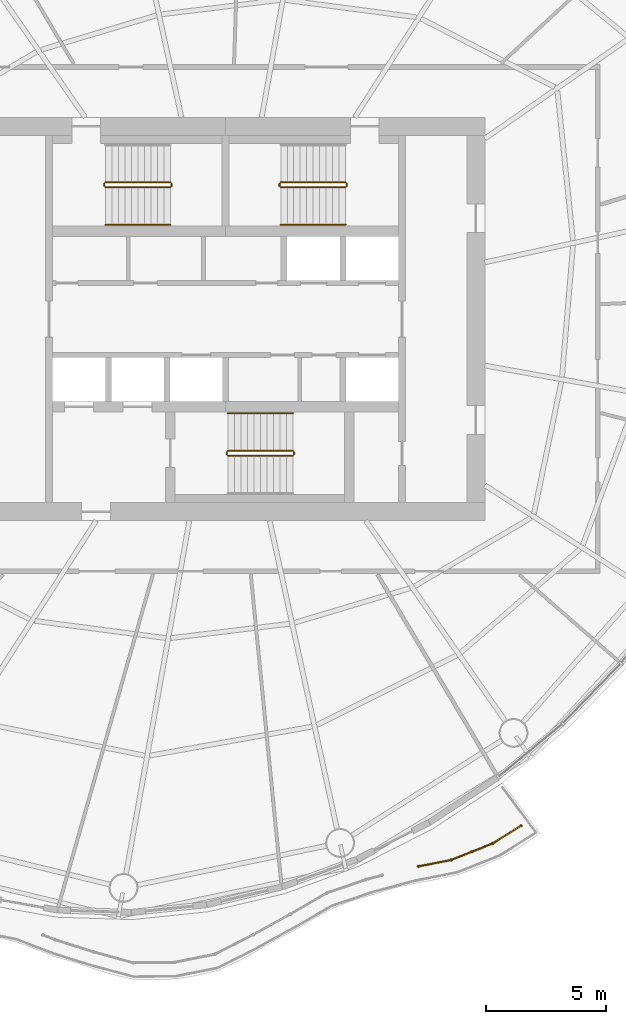
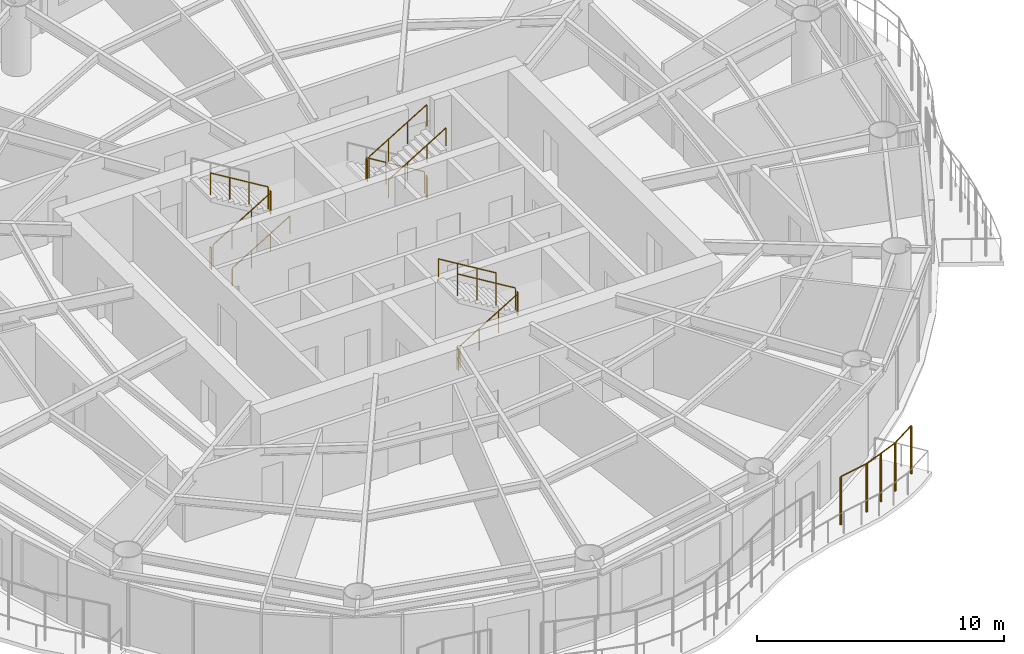
# One storey, part 13 of 14: 16 railings.
"""IFC4 building model written with IfcOpenShell, lengths in metres."""

from ifc_helpers import new_model, si_unit, direction, frame, origin, origin_2d, place, context, subcontext, project, spatial, circle, extrude, material, type_object, element, save


model = new_model("IFC4")

# Units and contexts
model_context = context("Model", 3, precision=1e-05, world=origin(), true_north=direction((0.0, 1.0)))
body_context = subcontext(model_context, "Body", "Model", "MODEL_VIEW")
ifc_project = project(units=[si_unit("LENGTHUNIT", "METRE"), si_unit("AREAUNIT", "SQUARE_METRE"), si_unit("VOLUMEUNIT", "CUBIC_METRE"), si_unit("PLANEANGLEUNIT", "RADIAN"), si_unit("MASSUNIT", "GRAM", prefix="KILO")], contexts=[model_context])

# Site, building, storey
site_placement = place(None, origin())
site = spatial("IfcSite", under=ifc_project, at=site_placement, CompositionType="ELEMENT")
building_placement = place(site_placement, origin())
building = spatial("IfcBuilding", under=site, at=building_placement, Name="Vermilion Reach Broadcast Tower", CompositionType="ELEMENT")
storey_placement = place(building_placement, frame((0.0, 0.0, 228.10009765625)))
storey = spatial("IfcBuildingStorey", under=building, at=storey_placement, Name="L56", CompositionType="ELEMENT", Elevation=228.10009765625)

# Railings
ifc_material_1 = material(Name="Terracotta baguette", Category="masonry")
railing_type_1 = type_object("IfcRailingType", Name="BAGUETTE SCREEN", PredefinedType="USERDEFINED", material=ifc_material_1)
railing_1_placement = place(storey_placement, frame((2.03662109375, -22.792724609375, 0.0)))
element("IfcRailing", 1, at=railing_1_placement, inside=storey, type_object=railing_type_1, Name="Baguette screen L56 group 3 part 3", ObjectType="BAGUETTE SCREEN", PredefinedType="USERDEFINED", context=body_context, shape_type="SweptSolid", body=[
    extrude(circle(Radius=0.030029296875, at=origin_2d()), frame((0.0, 0.0, 2.369873046875), z_axis=(0.981452571569, 0.191705111464, 0.0), x_axis=(-0.191705111464, 0.981452571569, 0.0)), (0.0, 0.0, 1.0), 1.38427734375),
    extrude(circle(Radius=0.030029296875, at=origin_2d()), frame((1.358642578125, 0.265380859375, 2.369873046875), z_axis=(0.929153949156, 0.36969303316, 0.0), x_axis=(-0.36969303316, 0.929153949156, 0.0)), (0.0, 0.0, 1.0), 1.8603515625),
    extrude(circle(Radius=0.030029296875, at=origin_2d()), frame((3.087158203125, 0.953125, 2.369873046875), z_axis=(0.847860324011, 0.53021964408, 0.0), x_axis=(-0.53021964408, 0.847860324011, 0.0)), (0.0, 0.0, 1.0), 1.391845703125),
    extrude(circle(Radius=0.050048828125, at=origin_2d()), origin(), (0.0, 0.0, 1.0), 2.33984375),
    extrude(circle(Radius=0.050048828125, at=origin_2d()), frame((1.358642578125, 0.265380859375, 0.0)), (0.0, 0.0, 1.0), 2.33984375),
    extrude(circle(Radius=0.050048828125, at=origin_2d()), frame((2.222900390625, 0.609375, 0.0)), (0.0, 0.0, 1.0), 2.33984375),
    extrude(circle(Radius=0.050048828125, at=origin_2d()), frame((3.087158203125, 0.953125, 0.0)), (0.0, 0.0, 1.0), 2.33984375),
    extrude(circle(Radius=0.050048828125, at=origin_2d()), frame((4.267333984375, 1.691162109375, 0.0)), (0.0, 0.0, 1.0), 2.33984375),
])
ifc_material_2 = material(Name="Stainless steel", Category="steel")
railing_type_2 = type_object("IfcRailingType", Name="Stair guard 1100", PredefinedType="GUARDRAIL", material=ifc_material_2)
railing_2_placement = place(storey_placement, frame((-11.0, 5.489990234375, 0.16357421875)))
element("IfcRailing", 2, at=railing_2_placement, inside=storey, type_object=railing_type_2, Name="L56 ST1 stair guard 1", PredefinedType="GUARDRAIL", context=body_context, shape_type="SweptSolid", body=[
    extrude(circle(Radius=0.02392578125, at=origin_2d()), frame((0.0, 0.0, 1.076171875), z_axis=(0.855212373127, 0.0, 0.518277721738), x_axis=(0.0, 1.0, 0.0)), (0.0, 0.0, 1.0), 3.156982421875),
    extrude(circle(Radius=0.02099609375, at=origin_2d()), origin(), (0.0, 0.0, 1.0), 1.052001953125),
    extrude(circle(Radius=0.02099609375, at=origin_2d()), frame((0.89990234375, 0.0, 0.54541015625)), (0.0, 0.0, 1.0), 1.052001953125),
    extrude(circle(Radius=0.02099609375, at=origin_2d()), frame((1.800048828125, 0.0, 1.0908203125)), (0.0, 0.0, 1.0), 1.052001953125),
    extrude(circle(Radius=0.02099609375, at=origin_2d()), frame((2.699951171875, 0.0, 1.63623046875)), (0.0, 0.0, 1.0), 1.052001953125),
])
railing_3_placement = place(storey_placement, frame((-8.25, 5.5400390625, 1.7998046875)))
element("IfcRailing", 3, at=railing_3_placement, inside=storey, type_object=railing_type_2, Name="L56 ST1 stair guard 2", PredefinedType="GUARDRAIL", context=body_context, shape_type="SweptSolid", body=[
    extrude(circle(Radius=0.02392578125, at=origin_2d()), frame((0.0, 0.0, 1.076171875), z_axis=(0.0, 1.0, 0.0), x_axis=(-1.0, 0.0, 0.0)), (0.0, 0.0, 1.0), 0.099853515625),
    extrude(circle(Radius=0.02099609375, at=origin_2d()), origin(), (0.0, 0.0, 1.0), 1.052001953125),
    extrude(circle(Radius=0.02099609375, at=origin_2d()), frame((0.0, 0.099853515625, 0.0)), (0.0, 0.0, 1.0), 1.052001953125),
])
railing_4_placement = place(storey_placement, frame((-8.300048828125, 5.68994140625, 1.963623046875)))
element("IfcRailing", 4, at=railing_4_placement, inside=storey, type_object=railing_type_2, Name="L56 ST1 stair guard 3", PredefinedType="GUARDRAIL", context=body_context, shape_type="SweptSolid", body=[
    extrude(circle(Radius=0.02392578125, at=origin_2d()), frame((0.0, 0.0, 1.076171875), z_axis=(-0.855212373127, 0.0, 0.518277721738), x_axis=(0.0, -1.0, 0.0)), (0.0, 0.0, 1.0), 3.156982421875),
    extrude(circle(Radius=0.02099609375, at=origin_2d()), origin(), (0.0, 0.0, 1.0), 1.052001953125),
    extrude(circle(Radius=0.02099609375, at=origin_2d()), frame((-0.89990234375, 0.0, 0.54541015625)), (0.0, 0.0, 1.0), 1.052001953125),
    extrude(circle(Radius=0.02099609375, at=origin_2d()), frame((-1.800048828125, 0.0, 1.0908203125)), (0.0, 0.0, 1.0), 1.052001953125),
    extrude(circle(Radius=0.02099609375, at=origin_2d()), frame((-2.699951171875, 0.0, 1.63623046875)), (0.0, 0.0, 1.0), 1.052001953125),
])
railing_5_placement = place(storey_placement, frame((-11.050048828125, 5.5400390625, 0.0)))
element("IfcRailing", 5, at=railing_5_placement, inside=storey, type_object=railing_type_2, Name="L56 ST1 stair guard 4", PredefinedType="GUARDRAIL", context=body_context, shape_type="SweptSolid", body=[
    extrude(circle(Radius=0.02392578125, at=origin_2d()), frame((0.0, 0.0, 1.076171875), z_axis=(0.0, 1.0, 0.0), x_axis=(-1.0, 0.0, 0.0)), (0.0, 0.0, 1.0), 0.099853515625),
    extrude(circle(Radius=0.02099609375, at=origin_2d()), origin(), (0.0, 0.0, 1.0), 1.052001953125),
    extrude(circle(Radius=0.02099609375, at=origin_2d()), frame((0.0, 0.099853515625, 0.0)), (0.0, 0.0, 1.0), 1.052001953125),
])
railing_6_placement = place(storey_placement, frame((-1.0, 5.68994140625, 0.16357421875)))
element("IfcRailing", 6, at=railing_6_placement, inside=storey, type_object=railing_type_2, Name="L56 ST2 stair guard 1", PredefinedType="GUARDRAIL", context=body_context, shape_type="SweptSolid", body=[
    extrude(circle(Radius=0.02392578125, at=origin_2d()), frame((0.0, 0.0, 1.076171875), z_axis=(-0.855212373127, 0.0, 0.518277721738), x_axis=(0.0, -1.0, 0.0)), (0.0, 0.0, 1.0), 3.156982421875),
    extrude(circle(Radius=0.02099609375, at=origin_2d()), origin(), (0.0, 0.0, 1.0), 1.052001953125),
    extrude(circle(Radius=0.02099609375, at=origin_2d()), frame((-0.89990234375, 0.0, 0.54541015625)), (0.0, 0.0, 1.0), 1.052001953125),
    extrude(circle(Radius=0.02099609375, at=origin_2d()), frame((-1.800048828125, 0.0, 1.0908203125)), (0.0, 0.0, 1.0), 1.052001953125),
    extrude(circle(Radius=0.02099609375, at=origin_2d()), frame((-2.699951171875, 0.0, 1.63623046875)), (0.0, 0.0, 1.0), 1.052001953125),
])
railing_7_placement = place(storey_placement, frame((-3.75, 5.639892578125, 1.7998046875)))
element("IfcRailing", 7, at=railing_7_placement, inside=storey, type_object=railing_type_2, Name="L56 ST2 stair guard 2", PredefinedType="GUARDRAIL", context=body_context, shape_type="SweptSolid", body=[
    extrude(circle(Radius=0.02392578125, at=origin_2d()), frame((0.0, 0.0, 1.076171875), z_axis=(0.0, -1.0, 0.0), x_axis=(1.0, 0.0, 0.0)), (0.0, 0.0, 1.0), 0.099853515625),
    extrude(circle(Radius=0.02099609375, at=origin_2d()), origin(), (0.0, 0.0, 1.0), 1.052001953125),
    extrude(circle(Radius=0.02099609375, at=origin_2d()), frame((0.0, -0.099853515625, 0.0)), (0.0, 0.0, 1.0), 1.052001953125),
])
railing_8_placement = place(storey_placement, frame((-3.699951171875, 5.489990234375, 1.963623046875)))
element("IfcRailing", 8, at=railing_8_placement, inside=storey, type_object=railing_type_2, Name="L56 ST2 stair guard 3", PredefinedType="GUARDRAIL", context=body_context, shape_type="SweptSolid", body=[
    extrude(circle(Radius=0.02392578125, at=origin_2d()), frame((0.0, 0.0, 1.076171875), z_axis=(0.855212373127, 0.0, 0.518277721738), x_axis=(0.0, 1.0, 0.0)), (0.0, 0.0, 1.0), 3.156982421875),
    extrude(circle(Radius=0.02099609375, at=origin_2d()), origin(), (0.0, 0.0, 1.0), 1.052001953125),
    extrude(circle(Radius=0.02099609375, at=origin_2d()), frame((0.89990234375, 0.0, 0.54541015625)), (0.0, 0.0, 1.0), 1.052001953125),
    extrude(circle(Radius=0.02099609375, at=origin_2d()), frame((1.800048828125, 0.0, 1.0908203125)), (0.0, 0.0, 1.0), 1.052001953125),
    extrude(circle(Radius=0.02099609375, at=origin_2d()), frame((2.699951171875, 0.0, 1.63623046875)), (0.0, 0.0, 1.0), 1.052001953125),
])
railing_9_placement = place(storey_placement, frame((-0.949951171875, 5.639892578125, 0.0)))
element("IfcRailing", 9, at=railing_9_placement, inside=storey, type_object=railing_type_2, Name="L56 ST2 stair guard 4", PredefinedType="GUARDRAIL", context=body_context, shape_type="SweptSolid", body=[
    extrude(circle(Radius=0.02392578125, at=origin_2d()), frame((0.0, 0.0, 1.076171875), z_axis=(0.0, -1.0, 0.0), x_axis=(1.0, 0.0, 0.0)), (0.0, 0.0, 1.0), 0.099853515625),
    extrude(circle(Radius=0.02099609375, at=origin_2d()), origin(), (0.0, 0.0, 1.0), 1.052001953125),
    extrude(circle(Radius=0.02099609375, at=origin_2d()), frame((0.0, -0.099853515625, 0.0)), (0.0, 0.0, 1.0), 1.052001953125),
])
railing_10_placement = place(storey_placement, frame((-5.89990234375, -5.68994140625, 0.16357421875)))
element("IfcRailing", 10, at=railing_10_placement, inside=storey, type_object=railing_type_2, Name="L56 ST3 stair guard 1", PredefinedType="GUARDRAIL", context=body_context, shape_type="SweptSolid", body=[
    extrude(circle(Radius=0.02392578125, at=origin_2d()), frame((0.0, 0.0, 1.076171875), z_axis=(0.855212373127, 0.0, 0.518277721738), x_axis=(0.0, 1.0, 0.0)), (0.0, 0.0, 1.0), 3.156982421875),
    extrude(circle(Radius=0.02099609375, at=origin_2d()), origin(), (0.0, 0.0, 1.0), 1.052001953125),
    extrude(circle(Radius=0.02099609375, at=origin_2d()), frame((0.89990234375, 0.0, 0.54541015625)), (0.0, 0.0, 1.0), 1.052001953125),
    extrude(circle(Radius=0.02099609375, at=origin_2d()), frame((1.800048828125, 0.0, 1.0908203125)), (0.0, 0.0, 1.0), 1.052001953125),
    extrude(circle(Radius=0.02099609375, at=origin_2d()), frame((2.699951171875, 0.0, 1.63623046875)), (0.0, 0.0, 1.0), 1.052001953125),
])
railing_11_placement = place(storey_placement, frame((-3.14990234375, -5.639892578125, 1.7998046875)))
element("IfcRailing", 11, at=railing_11_placement, inside=storey, type_object=railing_type_2, Name="L56 ST3 stair guard 2", PredefinedType="GUARDRAIL", context=body_context, shape_type="SweptSolid", body=[
    extrude(circle(Radius=0.02392578125, at=origin_2d()), frame((0.0, 0.0, 1.076171875), z_axis=(0.0, 1.0, 0.0), x_axis=(-1.0, 0.0, 0.0)), (0.0, 0.0, 1.0), 0.099853515625),
    extrude(circle(Radius=0.02099609375, at=origin_2d()), origin(), (0.0, 0.0, 1.0), 1.052001953125),
    extrude(circle(Radius=0.02099609375, at=origin_2d()), frame((0.0, 0.099853515625, 0.0)), (0.0, 0.0, 1.0), 1.052001953125),
])
railing_12_placement = place(storey_placement, frame((-3.199951171875, -5.489990234375, 1.963623046875)))
element("IfcRailing", 12, at=railing_12_placement, inside=storey, type_object=railing_type_2, Name="L56 ST3 stair guard 3", PredefinedType="GUARDRAIL", context=body_context, shape_type="SweptSolid", body=[
    extrude(circle(Radius=0.02392578125, at=origin_2d()), frame((0.0, 0.0, 1.076171875), z_axis=(-0.855212373127, 0.0, 0.518277721738), x_axis=(0.0, -1.0, 0.0)), (0.0, 0.0, 1.0), 3.156982421875),
    extrude(circle(Radius=0.02099609375, at=origin_2d()), origin(), (0.0, 0.0, 1.0), 1.052001953125),
    extrude(circle(Radius=0.02099609375, at=origin_2d()), frame((-0.89990234375, 0.0, 0.54541015625)), (0.0, 0.0, 1.0), 1.052001953125),
    extrude(circle(Radius=0.02099609375, at=origin_2d()), frame((-1.800048828125, 0.0, 1.0908203125)), (0.0, 0.0, 1.0), 1.052001953125),
    extrude(circle(Radius=0.02099609375, at=origin_2d()), frame((-2.699951171875, 0.0, 1.63623046875)), (0.0, 0.0, 1.0), 1.052001953125),
])
railing_13_placement = place(storey_placement, frame((-5.949951171875, -5.639892578125, 0.0)))
element("IfcRailing", 13, at=railing_13_placement, inside=storey, type_object=railing_type_2, Name="L56 ST3 stair guard 4", PredefinedType="GUARDRAIL", context=body_context, shape_type="SweptSolid", body=[
    extrude(circle(Radius=0.02392578125, at=origin_2d()), frame((0.0, 0.0, 1.076171875), z_axis=(0.0, 1.0, 0.0), x_axis=(-1.0, 0.0, 0.0)), (0.0, 0.0, 1.0), 0.099853515625),
    extrude(circle(Radius=0.02099609375, at=origin_2d()), origin(), (0.0, 0.0, 1.0), 1.052001953125),
    extrude(circle(Radius=0.02099609375, at=origin_2d()), frame((0.0, 0.099853515625, 0.0)), (0.0, 0.0, 1.0), 1.052001953125),
])
ifc_material_3 = material(Name="Stainless steel", Category="steel")
railing_type_3 = type_object("IfcRailingType", Name="Stair handrail", PredefinedType="HANDRAIL", material=ifc_material_3)
for number, where, name in (
    (14, (-11.0, 3.929931640625, 0.16357421875), "L56 ST1 stair handrail 1"),
    (15, (-3.699951171875, 3.929931640625, 1.963623046875), "L56 ST2 stair handrail 2"),
):
    element("IfcRailing", number, at=place(storey_placement, frame(where)), inside=storey, type_object=railing_type_3, Name=name, PredefinedType="HANDRAIL", context=body_context, shape_type="SweptSolid", body=[
        extrude(circle(Radius=0.02392578125, at=origin_2d()), frame((0.0, 0.0, 0.8759765625), z_axis=(0.855212373127, 0.0, 0.518277721738), x_axis=(0.0, 1.0, 0.0)), (0.0, 0.0, 1.0), 3.156982421875),
        extrude(circle(Radius=0.02099609375, at=origin_2d()), origin(), (0.0, 0.0, 1.0), 0.851806640625),
        extrude(circle(Radius=0.02099609375, at=origin_2d()), frame((0.89990234375, 0.0, 0.54541015625)), (0.0, 0.0, 1.0), 0.851806640625),
        extrude(circle(Radius=0.02099609375, at=origin_2d()), frame((1.800048828125, 0.0, 1.0908203125)), (0.0, 0.0, 1.0), 0.851806640625),
        extrude(circle(Radius=0.02099609375, at=origin_2d()), frame((2.699951171875, 0.0, 1.63623046875)), (0.0, 0.0, 1.0), 0.851806640625),
    ])
railing_14_placement = place(storey_placement, frame((-3.199951171875, -3.929931640625, 1.963623046875)))
element("IfcRailing", 16, at=railing_14_placement, inside=storey, type_object=railing_type_3, Name="L56 ST3 stair handrail 2", PredefinedType="HANDRAIL", context=body_context, shape_type="SweptSolid", body=[
    extrude(circle(Radius=0.02392578125, at=origin_2d()), frame((0.0, 0.0, 0.8759765625), z_axis=(-0.855212373127, 0.0, 0.518277721738), x_axis=(0.0, -1.0, 0.0)), (0.0, 0.0, 1.0), 3.156982421875),
    extrude(circle(Radius=0.02099609375, at=origin_2d()), origin(), (0.0, 0.0, 1.0), 0.851806640625),
    extrude(circle(Radius=0.02099609375, at=origin_2d()), frame((-0.89990234375, 0.0, 0.54541015625)), (0.0, 0.0, 1.0), 0.851806640625),
    extrude(circle(Radius=0.02099609375, at=origin_2d()), frame((-1.800048828125, 0.0, 1.0908203125)), (0.0, 0.0, 1.0), 0.851806640625),
    extrude(circle(Radius=0.02099609375, at=origin_2d()), frame((-2.699951171875, 0.0, 1.63623046875)), (0.0, 0.0, 1.0), 0.851806640625),
])

save(model, "model.ifc")
